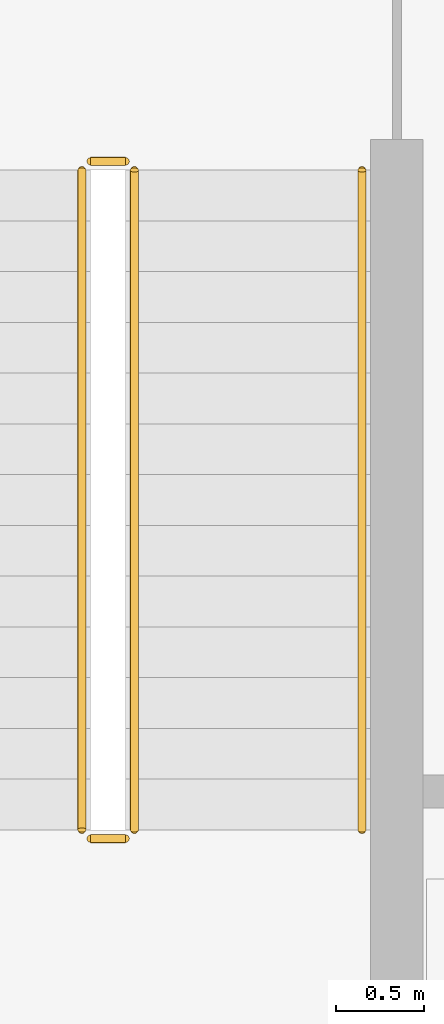
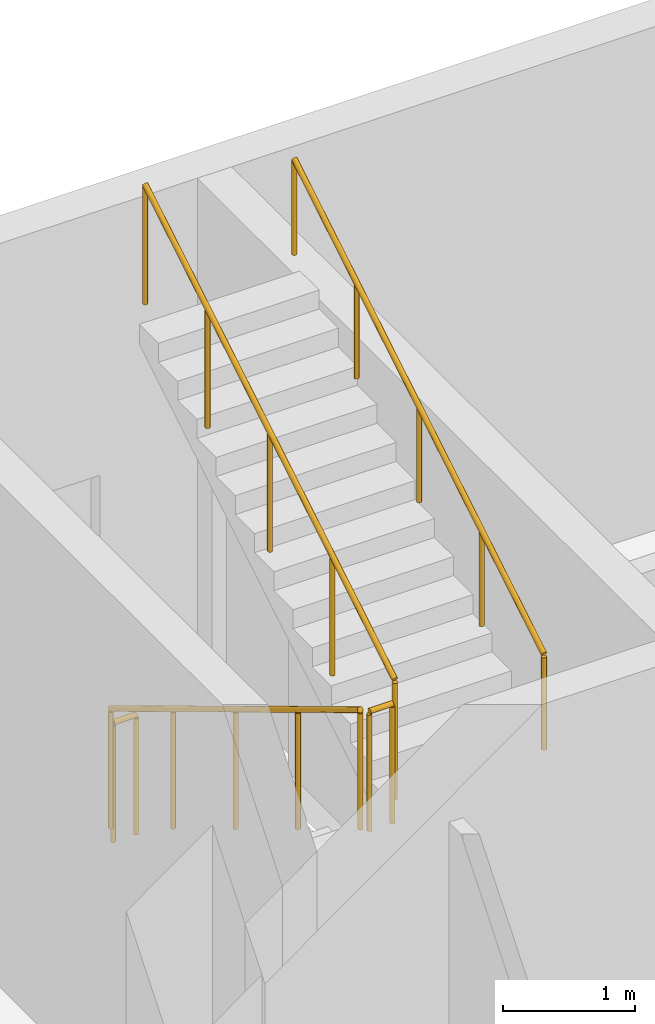
# One storey, part 70 of 85: 5 railings.
"""IFC4 building model written with IfcOpenShell, lengths in metres."""

from ifc_helpers import new_model, si_unit, derived_unit, direction, frame, origin, origin_2d, place, context, subcontext, project, spatial, circle, extrude, material, type_object, element, save


model = new_model("IFC4")

# Units and contexts
model_context = context("Model", 3, precision=1e-05, world=origin(), true_north=direction((0.0, 1.0)))
body_context = subcontext(model_context, "Body", "Model", "MODEL_VIEW")
ifc_project = project(units=[si_unit("LENGTHUNIT", "METRE"), si_unit("AREAUNIT", "SQUARE_METRE"), si_unit("VOLUMEUNIT", "CUBIC_METRE"), si_unit("PLANEANGLEUNIT", "RADIAN"), si_unit("MASSUNIT", "GRAM", prefix="KILO"), derived_unit("THERMALTRANSMITTANCEUNIT", [(si_unit("MASSUNIT", "GRAM", prefix="KILO"), 1), (si_unit("TIMEUNIT", "SECOND"), -3), (si_unit("THERMODYNAMICTEMPERATUREUNIT", "KELVIN"), -1)])], contexts=[model_context])

# Site, building, storey
site_placement = place(None, origin())
site = spatial("IfcSite", under=ifc_project, at=site_placement, CompositionType="ELEMENT")
building_placement = place(site_placement, origin())
building = spatial("IfcBuilding", under=site, at=building_placement, Name="Ochrekiln Boulevard Commons", CompositionType="ELEMENT")
storey_placement = place(building_placement, origin())
storey = spatial("IfcBuildingStorey", under=building, at=storey_placement, Name="L00", CompositionType="ELEMENT", Elevation=0.0)

# Railings
ifc_material = material(Name="Brushed stainless steel 316 tubular railing", Category="steel")
railing_type_1 = type_object("IfcRailingType", Name="RLG-HDR-900", PredefinedType="HANDRAIL", material=ifc_material)
railing_1_placement = place(storey_placement, frame((9.35009765625, 113.159912109375, 2.625)))
element("IfcRailing", 1, at=railing_1_placement, inside=storey, type_object=railing_type_1, Name="L00 ST-A2 stair handrail 2", PredefinedType="HANDRAIL", context=body_context, shape_type="SweptSolid", body=[
    extrude(circle(Radius=0.02392578125, at=origin_2d()), frame((0.0, 0.0, 0.8759765625), z_axis=(0.0, 0.856198655849, 0.51664674752), x_axis=(-1.0, 0.0, 0.0)), (0.0, 0.0, 1.0), 4.4033203125),
    extrude(circle(Radius=0.02099609375, at=origin_2d()), origin(), (0.0, 0.0, 1.0), 0.851806640625),
    extrude(circle(Radius=0.02099609375, at=origin_2d()), frame((0.0, 0.9423828125, 0.56884765625)), (0.0, 0.0, 1.0), 0.851806640625),
    extrude(circle(Radius=0.02099609375, at=origin_2d()), frame((0.0, 1.885009765625, 1.137451171875)), (0.0, 0.0, 1.0), 0.851806640625),
    extrude(circle(Radius=0.02099609375, at=origin_2d()), frame((0.0, 2.82763671875, 1.7060546875)), (0.0, 0.0, 1.0), 0.851806640625),
    extrude(circle(Radius=0.02099609375, at=origin_2d()), frame((0.0, 3.77001953125, 2.27490234375)), (0.0, 0.0, 1.0), 0.851806640625),
])
railing_type_2 = type_object("IfcRailingType", Name="RLG-STR-1120", PredefinedType="BALUSTRADE", material=ifc_material)
railing_2_placement = place(storey_placement, frame((7.75, 116.929931640625, 0.175048828125)))
element("IfcRailing", 2, at=railing_2_placement, inside=storey, type_object=railing_type_2, Name="L00 ST-A2 stair guard 1", PredefinedType="BALUSTRADE", context=body_context, shape_type="SweptSolid", body=[
    extrude(circle(Radius=0.02392578125, at=origin_2d()), frame((0.0, 0.0, 1.09619140625), z_axis=(0.0, -0.856198655849, 0.51664674752), x_axis=(1.0, 0.0, 0.0)), (0.0, 0.0, 1.0), 4.4033203125),
    extrude(circle(Radius=0.02099609375, at=origin_2d()), origin(), (0.0, 0.0, 1.0), 1.072021484375),
    extrude(circle(Radius=0.02099609375, at=origin_2d()), frame((0.0, -0.9423828125, 0.56884765625)), (0.0, 0.0, 1.0), 1.072021484375),
    extrude(circle(Radius=0.02099609375, at=origin_2d()), frame((0.0, -1.885009765625, 1.137451171875)), (0.0, 0.0, 1.0), 1.072021484375),
    extrude(circle(Radius=0.02099609375, at=origin_2d()), frame((0.0, -2.82763671875, 1.7060546875)), (0.0, 0.0, 1.0), 1.072021484375),
    extrude(circle(Radius=0.02099609375, at=origin_2d()), frame((0.0, -3.77001953125, 2.27490234375)), (0.0, 0.0, 1.0), 1.072021484375),
])
railing_3_placement = place(storey_placement, frame((7.800048828125, 113.110107421875, 2.449951171875)))
element("IfcRailing", 3, at=railing_3_placement, inside=storey, type_object=railing_type_2, Name="L00 ST-A2 stair guard 2", PredefinedType="BALUSTRADE", context=body_context, shape_type="SweptSolid", body=[
    extrude(circle(Radius=0.02392578125, at=origin_2d()), frame((0.0, 0.0, 1.09619140625), z_axis=(1.0, 0.0, 0.0), x_axis=(0.0, 1.0, 0.0)), (0.0, 0.0, 1.0), 0.199951171875),
    extrude(circle(Radius=0.02099609375, at=origin_2d()), origin(), (0.0, 0.0, 1.0), 1.072021484375),
    extrude(circle(Radius=0.02099609375, at=origin_2d()), frame((0.199951171875, 0.0, 0.0)), (0.0, 0.0, 1.0), 1.072021484375),
])
railing_4_placement = place(storey_placement, frame((8.050048828125, 113.159912109375, 2.625)))
element("IfcRailing", 4, at=railing_4_placement, inside=storey, type_object=railing_type_2, Name="L00 ST-A2 stair guard 3", PredefinedType="BALUSTRADE", context=body_context, shape_type="SweptSolid", body=[
    extrude(circle(Radius=0.02392578125, at=origin_2d()), frame((0.0, 0.0, 1.09619140625), z_axis=(0.0, 0.856198655849, 0.51664674752), x_axis=(-1.0, 0.0, 0.0)), (0.0, 0.0, 1.0), 4.4033203125),
    extrude(circle(Radius=0.02099609375, at=origin_2d()), origin(), (0.0, 0.0, 1.0), 1.072021484375),
    extrude(circle(Radius=0.02099609375, at=origin_2d()), frame((0.0, 0.9423828125, 0.56884765625)), (0.0, 0.0, 1.0), 1.072021484375),
    extrude(circle(Radius=0.02099609375, at=origin_2d()), frame((0.0, 1.885009765625, 1.137451171875)), (0.0, 0.0, 1.0), 1.072021484375),
    extrude(circle(Radius=0.02099609375, at=origin_2d()), frame((0.0, 2.82763671875, 1.7060546875)), (0.0, 0.0, 1.0), 1.072021484375),
    extrude(circle(Radius=0.02099609375, at=origin_2d()), frame((0.0, 3.77001953125, 2.27490234375)), (0.0, 0.0, 1.0), 1.072021484375),
])
railing_5_placement = place(storey_placement, frame((7.800048828125, 116.97998046875, 0.0)))
element("IfcRailing", 5, at=railing_5_placement, inside=storey, type_object=railing_type_2, Name="L00 ST-A2 stair guard 4", PredefinedType="BALUSTRADE", context=body_context, shape_type="SweptSolid", body=[
    extrude(circle(Radius=0.02392578125, at=origin_2d()), frame((0.0, 0.0, 1.09619140625), z_axis=(1.0, 0.0, 0.0), x_axis=(0.0, 1.0, 0.0)), (0.0, 0.0, 1.0), 0.199951171875),
    extrude(circle(Radius=0.02099609375, at=origin_2d()), origin(), (0.0, 0.0, 1.0), 1.072021484375),
    extrude(circle(Radius=0.02099609375, at=origin_2d()), frame((0.199951171875, 0.0, 0.0)), (0.0, 0.0, 1.0), 1.072021484375),
])

save(model, "model.ifc")
